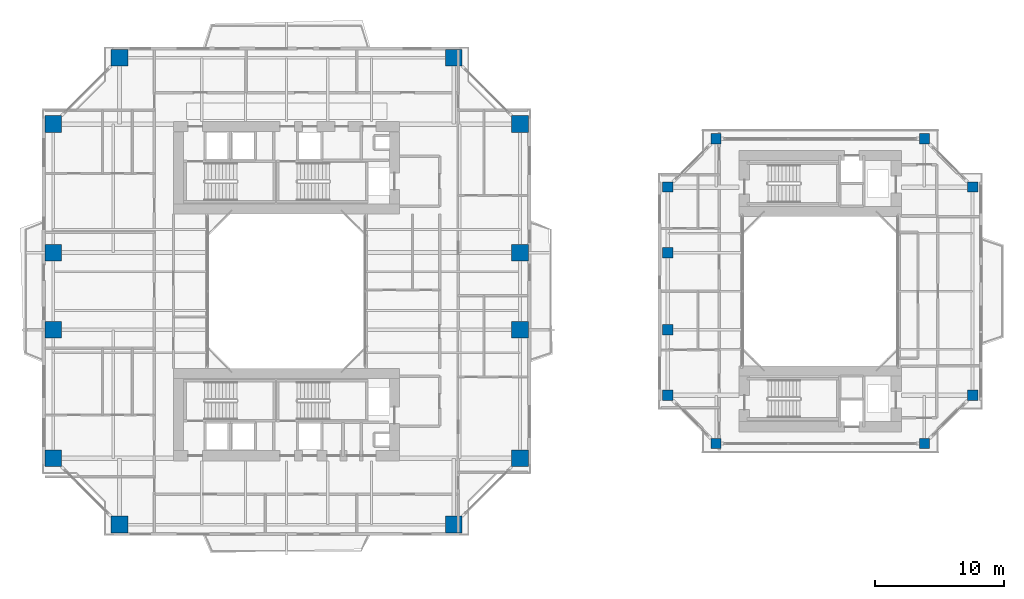
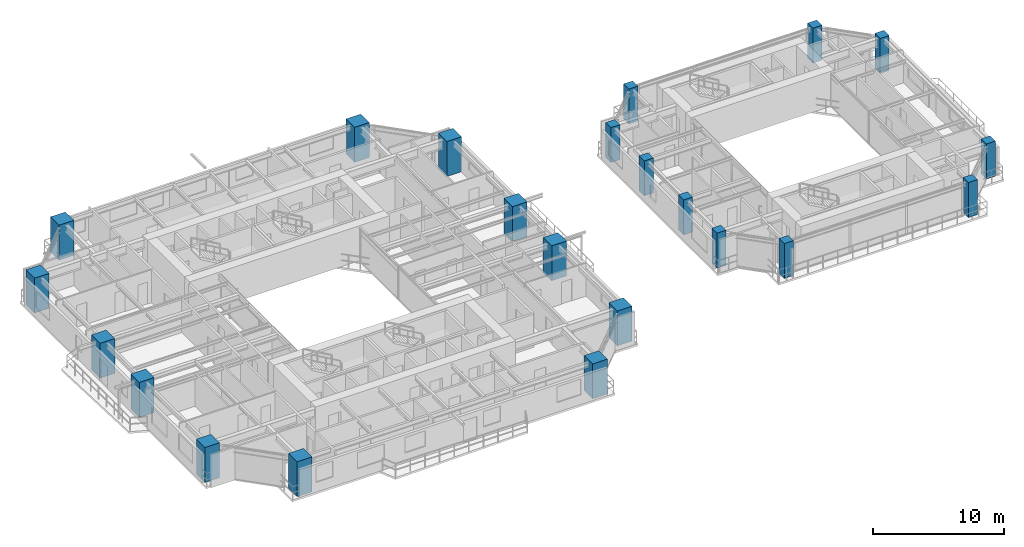
# One storey, part 1 of 23: 22 columns.
"""IFC4 building model written with IfcOpenShell, lengths in metres."""

from ifc_helpers import new_model, si_unit, direction, frame, origin, origin_2d, place, context, subcontext, project, spatial, rectangle, extrude, source, transform, mapped, material, material_profile, profile_set, type_object, element, save


model = new_model("IFC4")

# Units and contexts
model_context = context("Model", 3, precision=1e-05, world=origin(), true_north=direction((0.0, 1.0)))
body_context = subcontext(model_context, "Body", "Model", "MODEL_VIEW")
ifc_project = project(units=[si_unit("LENGTHUNIT", "METRE"), si_unit("AREAUNIT", "SQUARE_METRE"), si_unit("VOLUMEUNIT", "CUBIC_METRE"), si_unit("PLANEANGLEUNIT", "RADIAN"), si_unit("MASSUNIT", "GRAM", prefix="KILO"), si_unit("THERMODYNAMICTEMPERATUREUNIT", "KELVIN"), si_unit("POWERUNIT", "WATT")], contexts=[model_context])

# Site, building, storey
site_placement = place(None, origin())
site = spatial("IfcSite", under=ifc_project, at=site_placement, CompositionType="ELEMENT")
building_placement = place(site_placement, origin())
building = spatial("IfcBuilding", under=site, at=building_placement, Name="Qiaomeng Ring Towers", CompositionType="ELEMENT")
storey_placement = place(building_placement, frame((0.0, 0.0, 86.0)))
storey = spatial("IfcBuildingStorey", under=building, at=storey_placement, Name="L24", CompositionType="ELEMENT", Elevation=86.0)

# Columns
ifc_material_1 = material(Name="Concrete C60", Category="concrete")
ifc_material_profile_1 = material_profile(ifc_material_1, rectangle(XDim=1.300048828125, YDim=1.300048828125, at=origin_2d()), Name="RC COL 1300x1300")
ifc_profile_set_1 = profile_set([ifc_material_profile_1], Name="Concrete C60")
column_type_1 = type_object("IfcColumnType", Name="STR-COL-1300", PredefinedType="COLUMN", material=ifc_profile_set_1)
shared_shape_1 = source(origin(), body_context, "Body", "SweptSolid", [
    extrude(rectangle(XDim=1.300048828125, YDim=1.300048828125, at=origin_2d()), origin(), (0.0, 0.0, 1.0), 3.25),
])
for number, where, z_axis, x_axis, name in (
    (1, (6.0, 4.85009765625, 0.0), (0.0, 0.0, 1.0), (1.0, 0.0, 0.0), "L24 column STR-COL-L24-T1-S1"),
    (2, (32.0, 4.85009765625, 0.0), (0.0, 0.0, 1.0), (1.0, 0.0, 0.0), "L24 column STR-COL-L24-T1-S2"),
    (3, (37.14990234375, 10.0, 0.0), (0.0, 0.0, 1.0), (1.0, 0.0, 0.0), "L24 column STR-COL-L24-T1-E1"),
    (4, (37.14990234375, 20.0, 0.0), (0.0, 0.0, 1.0), (1.0, 0.0, 0.0), "L24 column STR-COL-L24-T1-E2"),
    (5, (37.14990234375, 26.0, 0.0), (0.0, 0.0, 1.0), (1.0, 0.0, 0.0), "L24 column STR-COL-L24-T1-E3"),
    (6, (37.14990234375, 36.0, 0.0), (0.0, 0.0, 1.0), (1.0, 0.0, 0.0), "L24 column STR-COL-L24-T1-E4"),
    (7, (32.0, 41.14990234375, 0.0), (0.0, 0.0, 1.0), (1.0, 0.0, 0.0), "L24 column STR-COL-L24-T1-N2"),
    (8, (6.0, 41.14990234375, 0.0), (0.0, 0.0, 1.0), (1.0, 0.0, 0.0), "L24 column STR-COL-L24-T1-N1"),
    (9, (0.85009765625, 36.0, 0.0), (0.0, 0.0, 1.0), (1.0, 0.0, 0.0), "L24 column STR-COL-L24-T1-W4"),
    (10, (0.85009765625, 26.0, 0.0), (0.0, 0.0, 1.0), (1.0, 0.0, 0.0), "L24 column STR-COL-L24-T1-W3"),
    (11, (0.85009765625, 20.0, 0.0), (0.0, 0.0, 1.0), (1.0, 0.0, 0.0), "L24 column STR-COL-L24-T1-W2"),
    (12, (0.85009765625, 10.0, 0.0), (0.0, 0.0, 1.0), (1.0, 0.0, 0.0), "L24 column STR-COL-L24-T1-W1"),
):
    element("IfcColumn", number, at=place(storey_placement, frame(where, z_axis=z_axis, x_axis=x_axis)), inside=storey, type_object=column_type_1, Name=name, PredefinedType="COLUMN", context=body_context, shape_type="MappedRepresentation", body=[
        mapped(shared_shape_1, transform((0.0, 0.0, 0.0), x_axis=(1.0, 0.0, 0.0), y_axis=(0.0, 1.0, 0.0), z_axis=(0.0, 0.0, 1.0), scale=1.0)),
    ])
ifc_material_2 = material(Name="Concrete C55", Category="concrete")
ifc_material_profile_2 = material_profile(ifc_material_2, rectangle(XDim=0.800048828125, YDim=0.800048828125, at=origin_2d()), Name="RC COL 800x800")
ifc_profile_set_2 = profile_set([ifc_material_profile_2], Name="Concrete C55")
column_type_2 = type_object("IfcColumnType", Name="STR-COL-800-C55", PredefinedType="COLUMN", material=ifc_profile_set_2)
shared_shape_2 = source(origin(), body_context, "Body", "SweptSolid", [
    extrude(rectangle(XDim=0.800048828125, YDim=0.800048828125, at=origin_2d()), origin(), (0.0, 0.0, 1.0), 3.25),
])
for number, where, z_axis, x_axis, name in (
    (13, (52.39990234375, 11.14990234375, 0.0), (0.0, 0.0, 1.0), (1.0, 0.0, 0.0), "L24 column STR-COL-L24-T2-S1"),
    (14, (68.60009765625, 11.14990234375, 0.0), (0.0, 0.0, 1.0), (1.0, 0.0, 0.0), "L24 column STR-COL-L24-T2-S2"),
    (15, (72.35009765625, 14.89990234375, 0.0), (0.0, 0.0, 1.0), (1.0, 0.0, 0.0), "L24 column STR-COL-L24-T2-E1"),
    (16, (72.35009765625, 31.10009765625, 0.0), (0.0, 0.0, 1.0), (1.0, 0.0, 0.0), "L24 column STR-COL-L24-T2-E2"),
    (17, (68.60009765625, 34.85009765625, 0.0), (0.0, 0.0, 1.0), (1.0, 0.0, 0.0), "L24 column STR-COL-L24-T2-N2"),
    (18, (52.39990234375, 34.85009765625, 0.0), (0.0, 0.0, 1.0), (1.0, 0.0, 0.0), "L24 column STR-COL-L24-T2-N1"),
    (19, (48.64990234375, 14.89990234375, 0.0), (0.0, 0.0, 1.0), (1.0, 0.0, 0.0), "L24 column STR-COL-L24-T2-W1"),
    (20, (48.64990234375, 20.0, 0.0), (0.0, 0.0, 1.0), (1.0, 0.0, 0.0), "L24 column STR-COL-L24-T2-W2"),
    (21, (48.64990234375, 26.0, 0.0), (0.0, 0.0, 1.0), (1.0, 0.0, 0.0), "L24 column STR-COL-L24-T2-W3"),
    (22, (48.64990234375, 31.10009765625, 0.0), (0.0, 0.0, 1.0), (1.0, 0.0, 0.0), "L24 column STR-COL-L24-T2-W4"),
):
    element("IfcColumn", number, at=place(storey_placement, frame(where, z_axis=z_axis, x_axis=x_axis)), inside=storey, type_object=column_type_2, Name=name, PredefinedType="COLUMN", context=body_context, shape_type="MappedRepresentation", body=[
        mapped(shared_shape_2, transform((0.0, 0.0, 0.0), x_axis=(1.0, 0.0, 0.0), y_axis=(0.0, 1.0, 0.0), z_axis=(0.0, 0.0, 1.0), scale=1.0)),
    ])

save(model, "model.ifc")
